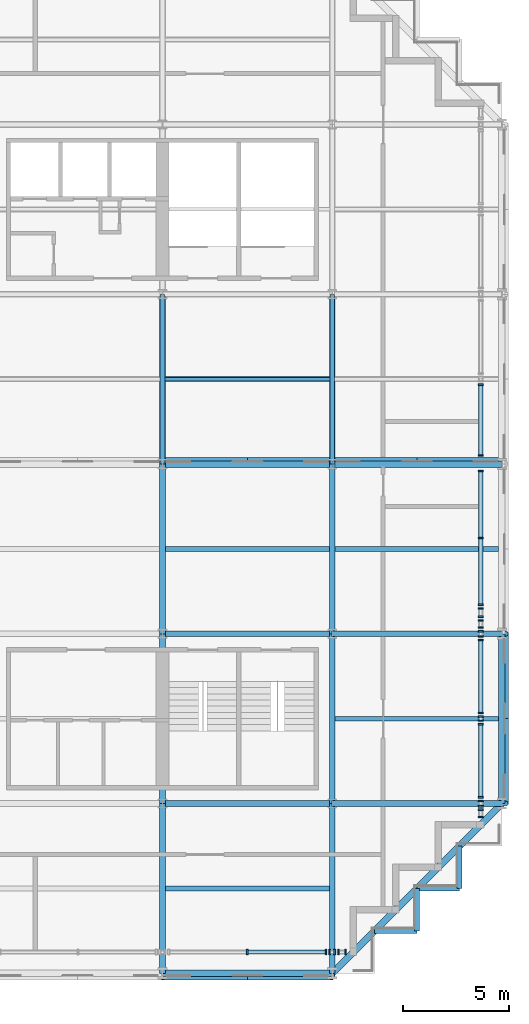
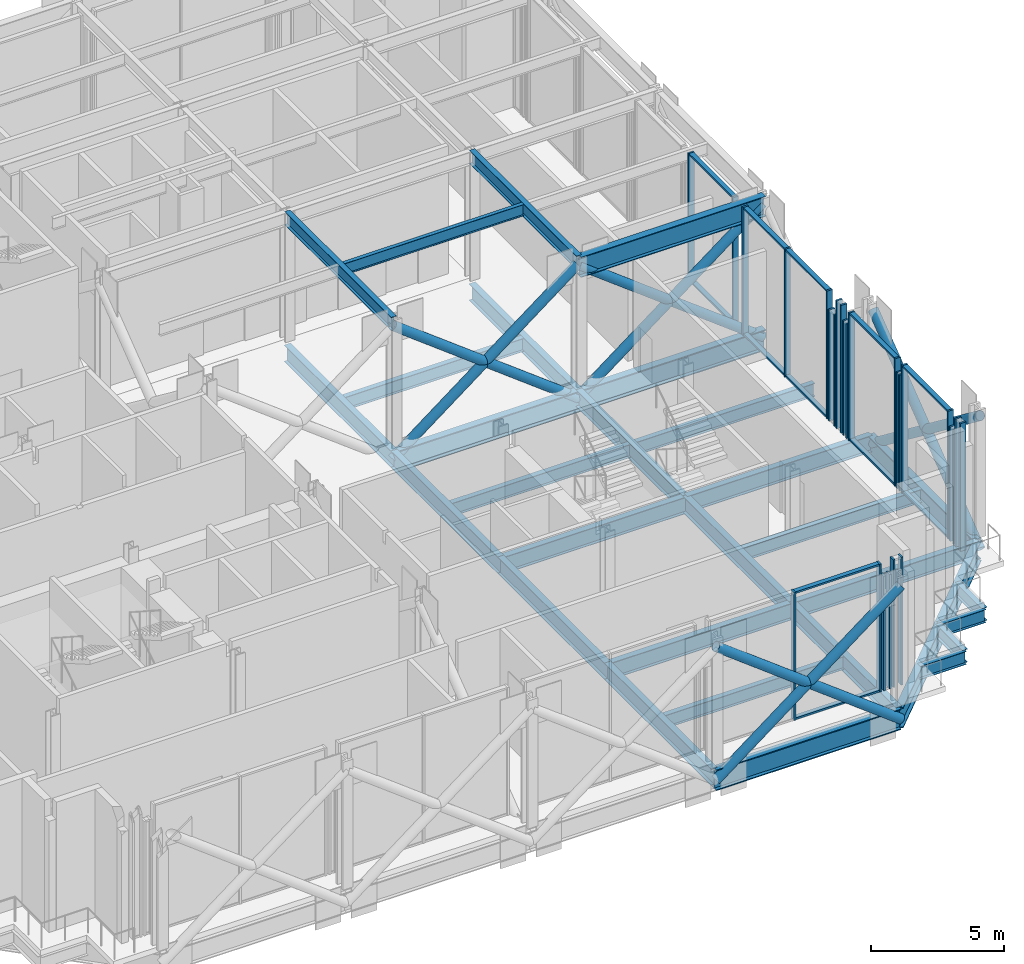
# One storey, part 4 of 25: 47 members, 30 beams, 13 elements without a shape of their own.
"""IFC4 building model written with IfcOpenShell, lengths in metres."""

from ifc_helpers import new_model, si_unit, direction, frame, origin, origin_2d, place, context, subcontext, project, spatial, rectangle, hollow_circle, i_section, extrude, material, material_profile, profile_set, type_object, element, aggregate, save


model = new_model("IFC4")

# Units and contexts
model_context = context("Model", 3, precision=1e-05, world=origin(), true_north=direction((0.0, 1.0)))
body_context = subcontext(model_context, "Body", "Model", "MODEL_VIEW")
ifc_project = project(units=[si_unit("LENGTHUNIT", "METRE"), si_unit("AREAUNIT", "SQUARE_METRE"), si_unit("VOLUMEUNIT", "CUBIC_METRE"), si_unit("PLANEANGLEUNIT", "RADIAN"), si_unit("MASSUNIT", "GRAM", prefix="KILO")], contexts=[model_context])

# Site, building, storey
site_placement = place(None, origin())
site = spatial("IfcSite", under=ifc_project, at=site_placement, CompositionType="ELEMENT")
building_placement = place(site_placement, origin())
building = spatial("IfcBuilding", under=site, at=building_placement, Name="Immortelle Media Tower", CompositionType="ELEMENT")
storey_placement = place(building_placement, frame((0.0, 0.0, 114.0)))
storey = spatial("IfcBuildingStorey", under=building, at=storey_placement, Name="L22", CompositionType="ELEMENT", Elevation=114.0)

# Members
ifc_material_1 = material(Name="Steel ASTM A500 Gr C", Category="steel")
ifc_material_profile_1 = material_profile(ifc_material_1, hollow_circle(Radius=0.202880859375, WallThickness=0.011962890625, at=origin_2d()), Name="HSS16.000x0.500 truss diagonal")
ifc_profile_set_1 = profile_set([ifc_material_profile_1], Name="Steel ASTM A500 Gr C")
member_type_1 = type_object("IfcMemberType", Name="HSS16.000x0.500 truss diagonal", PredefinedType="BRACE", material=ifc_profile_set_1)
for number, where, z_axis, x_axis, name in (
    (1, (32.0, -0.113037109375, -0.72509765625), (0.794648909693, 0.0, 0.607069279674), (0.0, 1.0, 0.0), "Belt truss A/5-6 A"),
    (2, (32.0, -0.113037109375, 5.386474609375), (0.794648909693, 0.0, -0.607069279674), (0.0, 1.0, 0.0), "Belt truss A/5-6 B"),
    (3, (32.0, 24.113037109375, -0.72509765625), (0.794648909693, 0.0, 0.607069279674), (0.0, 1.0, 0.0), "Belt truss D/5-6 A"),
    (4, (32.0, 24.113037109375, 5.386474609375), (0.794648909693, 0.0, -0.607069279674), (0.0, 1.0, 0.0), "Belt truss D/5-6 B"),
    (5, (40.0, 24.113037109375, -0.72509765625), (0.794648909693, 0.0, 0.607069279674), (0.0, 1.0, 0.0), "Belt truss D/6-7 A"),
    (6, (40.0, 24.113037109375, 5.386474609375), (0.794648909693, 0.0, -0.607069279674), (0.0, 1.0, 0.0), "Belt truss D/6-7 B"),
    (7, (48.113037109375, 8.0, -0.72509765625), (0.0, 0.794648909693, 0.607069279674), (-1.0, 0.0, 0.0), "Belt truss 7/B-C A"),
    (8, (48.113037109375, 8.0, 5.386474609375), (0.0, 0.794648909693, -0.607069279674), (-1.0, 0.0, 0.0), "Belt truss 7/B-C B"),
):
    element("IfcMember", number, at=place(storey_placement, frame(where, z_axis=z_axis, x_axis=x_axis)), inside=storey, type_object=member_type_1, Name=name, PredefinedType="BRACE", context=body_context, shape_type="SweptSolid", body=[
        extrude(hollow_circle(Radius=0.202880859375, WallThickness=0.011962890625, at=origin_2d()), origin(), (0.0, 0.0, 1.0), 10.0673828125),
    ])

# Curtain wall, members
ifc_material_2 = material(Name="Aluminium curtain wall system", Category="aluminium")
curtain_wall_type = type_object("IfcCurtainWallType", Name="Plant louvre wall curtain wall", PredefinedType="NOTDEFINED", material=ifc_material_2)
curtain_wall_1_placement = place(storey_placement, origin())
curtain_wall_1 = element("IfcCurtainWall", 9, at=curtain_wall_1_placement, inside=storey, type_object=curtain_wall_type, Name="Plant louvre wall L22 S 7-9", PredefinedType="NOTDEFINED")
ifc_material_3 = material(Name="Aluminium 6063-T6", Category="aluminium")
ifc_material_profile_2 = material_profile(ifc_material_3, rectangle(XDim=0.25, YDim=0.080078125, at=origin_2d()), Name="AL 80x250")
ifc_profile_set_2 = profile_set([ifc_material_profile_2], Name="Aluminium 6063-T6")
member_type_2 = type_object("IfcMemberType", Name="Plant louvre wall mullion 80 x 250", PredefinedType="MULLION", material=ifc_profile_set_2)
member_1_placement = place(storey_placement, frame((36.0, 1.0, 0.0), z_axis=(0.0, 0.0, 1.0), x_axis=(0.0, 1.0, 0.0)))
member_1 = element("IfcMember", 10, at=member_1_placement, type_object=member_type_2, Name="CW6 mullion 2", PredefinedType="MULLION", context=body_context, shape_type="SweptSolid", body=[
    extrude(rectangle(XDim=0.25, YDim=0.080078125, at=origin_2d()), origin(), (0.0, 0.0, 1.0), 5.849609375),
])
member_2_placement = place(storey_placement, frame((39.70556640625, 1.0, 0.0), z_axis=(0.0, 0.0, 1.0), x_axis=(0.0, 1.0, 0.0)))
member_2 = element("IfcMember", 11, at=member_2_placement, type_object=member_type_2, Name="CW6 mullion 3", PredefinedType="MULLION", context=body_context, shape_type="SweptSolid", body=[
    extrude(rectangle(XDim=0.25, YDim=0.080078125, at=origin_2d()), origin(), (0.0, 0.0, 1.0), 5.849609375),
])

curtain_wall_2_placement = place(storey_placement, origin())
curtain_wall_2 = element("IfcCurtainWall", 12, at=curtain_wall_2_placement, inside=storey, type_object=curtain_wall_type, Name="Plant louvre wall L22 S 7-10", PredefinedType="NOTDEFINED")
member_3_placement = place(storey_placement, frame((39.87548828125, 1.0, 0.0), z_axis=(0.0, 0.0, 1.0), x_axis=(0.0, 1.0, 0.0)))
member_3 = element("IfcMember", 13, at=member_3_placement, type_object=member_type_2, Name="CW6 mullion 1", PredefinedType="MULLION", context=body_context, shape_type="SweptSolid", body=[
    extrude(rectangle(XDim=0.25, YDim=0.080078125, at=origin_2d()), origin(), (0.0, 0.0, 1.0), 5.237548828125),
])
member_4_placement = place(storey_placement, frame((40.12451171875, 1.0, 0.0), z_axis=(0.0, 0.0, 1.0), x_axis=(0.0, 1.0, 0.0)))
member_4 = element("IfcMember", 14, at=member_4_placement, type_object=member_type_2, Name="CW6 mullion 2", PredefinedType="MULLION", context=body_context, shape_type="SweptSolid", body=[
    extrude(rectangle(XDim=0.25, YDim=0.080078125, at=origin_2d()), origin(), (0.0, 0.0, 1.0), 5.237548828125),
])
aggregate(curtain_wall_2, [member_3, member_4])

curtain_wall_3_placement = place(storey_placement, origin())
curtain_wall_3 = element("IfcCurtainWall", 15, at=curtain_wall_3_placement, inside=storey, type_object=curtain_wall_type, Name="Plant louvre wall L22 S 7-11", PredefinedType="NOTDEFINED")
member_5_placement = place(storey_placement, frame((40.29443359375, 1.0, 0.0), z_axis=(0.0, 0.0, 1.0), x_axis=(0.0, 1.0, 0.0)))
member_5 = element("IfcMember", 16, at=member_5_placement, type_object=member_type_2, Name="CW6 mullion 1", PredefinedType="MULLION", context=body_context, shape_type="SweptSolid", body=[
    extrude(rectangle(XDim=0.25, YDim=0.080078125, at=origin_2d()), origin(), (0.0, 0.0, 1.0), 5.849609375),
])
member_6_placement = place(storey_placement, frame((40.631103515625, 1.0, 0.0), z_axis=(0.0, 0.0, 1.0), x_axis=(0.0, 1.0, 0.0)))
member_6 = element("IfcMember", 17, at=member_6_placement, type_object=member_type_2, Name="CW6 mullion 2", PredefinedType="MULLION", context=body_context, shape_type="SweptSolid", body=[
    extrude(rectangle(XDim=0.25, YDim=0.080078125, at=origin_2d()), origin(), (0.0, 0.0, 1.0), 5.849609375),
])
aggregate(curtain_wall_3, [member_5, member_6])

curtain_wall_4_placement = place(storey_placement, origin())
curtain_wall_4 = element("IfcCurtainWall", 18, at=curtain_wall_4_placement, inside=storey, type_object=curtain_wall_type, Name="Plant louvre wall L22 E 14-2", PredefinedType="NOTDEFINED")
member_7_placement = place(storey_placement, frame((47.0, 7.368896484375, 0.0), z_axis=(0.0, 0.0, 1.0), x_axis=(-1.0, 0.0, 0.0)))
member_7 = element("IfcMember", 19, at=member_7_placement, type_object=member_type_2, Name="CW6 mullion 1", PredefinedType="MULLION", context=body_context, shape_type="SweptSolid", body=[
    extrude(rectangle(XDim=0.25, YDim=0.080078125, at=origin_2d()), origin(), (0.0, 0.0, 1.0), 5.849609375),
])
member_8_placement = place(storey_placement, frame((47.0, 7.70556640625, 0.0), z_axis=(0.0, 0.0, 1.0), x_axis=(-1.0, 0.0, 0.0)))
member_8 = element("IfcMember", 20, at=member_8_placement, type_object=member_type_2, Name="CW6 mullion 2", PredefinedType="MULLION", context=body_context, shape_type="SweptSolid", body=[
    extrude(rectangle(XDim=0.25, YDim=0.080078125, at=origin_2d()), origin(), (0.0, 0.0, 1.0), 5.849609375),
])
aggregate(curtain_wall_4, [member_7, member_8])

curtain_wall_5_placement = place(storey_placement, origin())
curtain_wall_5 = element("IfcCurtainWall", 21, at=curtain_wall_5_placement, inside=storey, type_object=curtain_wall_type, Name="Plant louvre wall L22 E 14-3", PredefinedType="NOTDEFINED")
member_9_placement = place(storey_placement, frame((47.0, 7.87548828125, 0.0), z_axis=(0.0, 0.0, 1.0), x_axis=(-1.0, 0.0, 0.0)))
member_9 = element("IfcMember", 22, at=member_9_placement, type_object=member_type_2, Name="CW6 mullion 1", PredefinedType="MULLION", context=body_context, shape_type="SweptSolid", body=[
    extrude(rectangle(XDim=0.25, YDim=0.080078125, at=origin_2d()), origin(), (0.0, 0.0, 1.0), 5.237548828125),
])
member_10_placement = place(storey_placement, frame((47.0, 8.12451171875, 0.0), z_axis=(0.0, 0.0, 1.0), x_axis=(-1.0, 0.0, 0.0)))
member_10 = element("IfcMember", 23, at=member_10_placement, type_object=member_type_2, Name="CW6 mullion 2", PredefinedType="MULLION", context=body_context, shape_type="SweptSolid", body=[
    extrude(rectangle(XDim=0.25, YDim=0.080078125, at=origin_2d()), origin(), (0.0, 0.0, 1.0), 5.237548828125),
])
aggregate(curtain_wall_5, [member_9, member_10])

curtain_wall_6_placement = place(storey_placement, origin())
curtain_wall_6 = element("IfcCurtainWall", 24, at=curtain_wall_6_placement, inside=storey, type_object=curtain_wall_type, Name="Plant louvre wall L22 E 14-4", PredefinedType="NOTDEFINED")
member_11_placement = place(storey_placement, frame((47.0, 8.29443359375, 0.0), z_axis=(0.0, 0.0, 1.0), x_axis=(-1.0, 0.0, 0.0)))
member_11 = element("IfcMember", 25, at=member_11_placement, type_object=member_type_2, Name="CW6 mullion 1", PredefinedType="MULLION", context=body_context, shape_type="SweptSolid", body=[
    extrude(rectangle(XDim=0.25, YDim=0.080078125, at=origin_2d()), origin(), (0.0, 0.0, 1.0), 5.849609375),
])
member_12_placement = place(storey_placement, frame((47.0, 11.737548828125, 0.0), z_axis=(0.0, 0.0, 1.0), x_axis=(-1.0, 0.0, 0.0)))
member_12 = element("IfcMember", 26, at=member_12_placement, type_object=member_type_2, Name="CW6 mullion 2", PredefinedType="MULLION", context=body_context, shape_type="SweptSolid", body=[
    extrude(rectangle(XDim=0.25, YDim=0.080078125, at=origin_2d()), origin(), (0.0, 0.0, 1.0), 5.849609375),
])

curtain_wall_7_placement = place(storey_placement, origin())
curtain_wall_7 = element("IfcCurtainWall", 27, at=curtain_wall_7_placement, inside=storey, type_object=curtain_wall_type, Name="Plant louvre wall L22 E 14-5", PredefinedType="NOTDEFINED")
member_13_placement = place(storey_placement, frame((47.0, 11.907470703125, 0.0), z_axis=(0.0, 0.0, 1.0), x_axis=(-1.0, 0.0, 0.0)))
member_13 = element("IfcMember", 28, at=member_13_placement, type_object=member_type_2, Name="CW6 mullion 1", PredefinedType="MULLION", context=body_context, shape_type="SweptSolid", body=[
    extrude(rectangle(XDim=0.25, YDim=0.080078125, at=origin_2d()), origin(), (0.0, 0.0, 1.0), 5.323486328125),
])
member_14_placement = place(storey_placement, frame((47.0, 12.092529296875, 0.0), z_axis=(0.0, 0.0, 1.0), x_axis=(-1.0, 0.0, 0.0)))
member_14 = element("IfcMember", 29, at=member_14_placement, type_object=member_type_2, Name="CW6 mullion 2", PredefinedType="MULLION", context=body_context, shape_type="SweptSolid", body=[
    extrude(rectangle(XDim=0.25, YDim=0.080078125, at=origin_2d()), origin(), (0.0, 0.0, 1.0), 5.323486328125),
])
aggregate(curtain_wall_7, [member_13, member_14])

curtain_wall_8_placement = place(storey_placement, origin())
curtain_wall_8 = element("IfcCurtainWall", 30, at=curtain_wall_8_placement, inside=storey, type_object=curtain_wall_type, Name="Plant louvre wall L22 E 14-6", PredefinedType="NOTDEFINED")
member_15_placement = place(storey_placement, frame((47.0, 12.262451171875, 0.0), z_axis=(0.0, 0.0, 1.0), x_axis=(-1.0, 0.0, 0.0)))
member_15 = element("IfcMember", 31, at=member_15_placement, type_object=member_type_2, Name="CW6 mullion 1", PredefinedType="MULLION", context=body_context, shape_type="SweptSolid", body=[
    extrude(rectangle(XDim=0.25, YDim=0.080078125, at=origin_2d()), origin(), (0.0, 0.0, 1.0), 5.849609375),
])
member_16_placement = place(storey_placement, frame((47.0, 15.70556640625, 0.0), z_axis=(0.0, 0.0, 1.0), x_axis=(-1.0, 0.0, 0.0)))
member_16 = element("IfcMember", 32, at=member_16_placement, type_object=member_type_2, Name="CW6 mullion 2", PredefinedType="MULLION", context=body_context, shape_type="SweptSolid", body=[
    extrude(rectangle(XDim=0.25, YDim=0.080078125, at=origin_2d()), origin(), (0.0, 0.0, 1.0), 5.849609375),
])

curtain_wall_9_placement = place(storey_placement, origin())
curtain_wall_9 = element("IfcCurtainWall", 33, at=curtain_wall_9_placement, inside=storey, type_object=curtain_wall_type, Name="Plant louvre wall L22 E 14-7", PredefinedType="NOTDEFINED")
member_17_placement = place(storey_placement, frame((47.0, 15.87548828125, 0.0), z_axis=(0.0, 0.0, 1.0), x_axis=(-1.0, 0.0, 0.0)))
member_17 = element("IfcMember", 34, at=member_17_placement, type_object=member_type_2, Name="CW6 mullion 1", PredefinedType="MULLION", context=body_context, shape_type="SweptSolid", body=[
    extrude(rectangle(XDim=0.25, YDim=0.080078125, at=origin_2d()), origin(), (0.0, 0.0, 1.0), 5.237548828125),
])
member_18_placement = place(storey_placement, frame((47.0, 16.12451171875, 0.0), z_axis=(0.0, 0.0, 1.0), x_axis=(-1.0, 0.0, 0.0)))
member_18 = element("IfcMember", 35, at=member_18_placement, type_object=member_type_2, Name="CW6 mullion 2", PredefinedType="MULLION", context=body_context, shape_type="SweptSolid", body=[
    extrude(rectangle(XDim=0.25, YDim=0.080078125, at=origin_2d()), origin(), (0.0, 0.0, 1.0), 5.237548828125),
])
aggregate(curtain_wall_9, [member_17, member_18])

curtain_wall_10_placement = place(storey_placement, origin())
curtain_wall_10 = element("IfcCurtainWall", 36, at=curtain_wall_10_placement, inside=storey, type_object=curtain_wall_type, Name="Plant louvre wall L22 E 14-8", PredefinedType="NOTDEFINED")
member_19_placement = place(storey_placement, frame((47.0, 16.29443359375, 0.0), z_axis=(0.0, 0.0, 1.0), x_axis=(-1.0, 0.0, 0.0)))
member_19 = element("IfcMember", 37, at=member_19_placement, type_object=member_type_2, Name="CW6 mullion 1", PredefinedType="MULLION", context=body_context, shape_type="SweptSolid", body=[
    extrude(rectangle(XDim=0.25, YDim=0.080078125, at=origin_2d()), origin(), (0.0, 0.0, 1.0), 5.849609375),
])
member_20_placement = place(storey_placement, frame((47.0, 16.631103515625, 0.0), z_axis=(0.0, 0.0, 1.0), x_axis=(-1.0, 0.0, 0.0)))
member_20 = element("IfcMember", 38, at=member_20_placement, type_object=member_type_2, Name="CW6 mullion 2", PredefinedType="MULLION", context=body_context, shape_type="SweptSolid", body=[
    extrude(rectangle(XDim=0.25, YDim=0.080078125, at=origin_2d()), origin(), (0.0, 0.0, 1.0), 5.849609375),
])
aggregate(curtain_wall_10, [member_19, member_20])

curtain_wall_11_placement = place(storey_placement, origin())
curtain_wall_11 = element("IfcCurtainWall", 39, at=curtain_wall_11_placement, inside=storey, type_object=curtain_wall_type, Name="Plant louvre wall L22 E 14-9", PredefinedType="NOTDEFINED")
member_21_placement = place(storey_placement, frame((47.0, 16.80126953125, 0.0), z_axis=(0.0, 0.0, 1.0), x_axis=(-1.0, 0.0, 0.0)))
member_21 = element("IfcMember", 40, at=member_21_placement, type_object=member_type_2, Name="CW6 mullion 1", PredefinedType="MULLION", context=body_context, shape_type="SweptSolid", body=[
    extrude(rectangle(XDim=0.25, YDim=0.080078125, at=origin_2d()), origin(), (0.0, 0.0, 1.0), 5.08740234375),
])
member_22_placement = place(storey_placement, frame((47.0, 17.19873046875, 0.0), z_axis=(0.0, 0.0, 1.0), x_axis=(-1.0, 0.0, 0.0)))
member_22 = element("IfcMember", 41, at=member_22_placement, type_object=member_type_2, Name="CW6 mullion 2", PredefinedType="MULLION", context=body_context, shape_type="SweptSolid", body=[
    extrude(rectangle(XDim=0.25, YDim=0.080078125, at=origin_2d()), origin(), (0.0, 0.0, 1.0), 5.08740234375),
])
aggregate(curtain_wall_11, [member_21, member_22])

curtain_wall_12_placement = place(storey_placement, origin())
curtain_wall_12 = element("IfcCurtainWall", 42, at=curtain_wall_12_placement, inside=storey, type_object=curtain_wall_type, Name="Plant louvre wall L22 E 14-10", PredefinedType="NOTDEFINED")
member_23_placement = place(storey_placement, frame((47.0, 17.368896484375, 0.0), z_axis=(0.0, 0.0, 1.0), x_axis=(-1.0, 0.0, 0.0)))
member_23 = element("IfcMember", 43, at=member_23_placement, type_object=member_type_2, Name="CW6 mullion 1", PredefinedType="MULLION", context=body_context, shape_type="SweptSolid", body=[
    extrude(rectangle(XDim=0.25, YDim=0.080078125, at=origin_2d()), origin(), (0.0, 0.0, 1.0), 5.849609375),
])
member_24_placement = place(storey_placement, frame((47.0, 20.517578125, 0.0), z_axis=(0.0, 0.0, 1.0), x_axis=(-1.0, 0.0, 0.0)))
member_24 = element("IfcMember", 44, at=member_24_placement, type_object=member_type_2, Name="CW6 mullion 2", PredefinedType="MULLION", context=body_context, shape_type="SweptSolid", body=[
    extrude(rectangle(XDim=0.25, YDim=0.080078125, at=origin_2d()), origin(), (0.0, 0.0, 1.0), 5.849609375),
])
member_25_placement = place(storey_placement, frame((47.0, 23.66650390625, 0.0), z_axis=(0.0, 0.0, 1.0), x_axis=(-1.0, 0.0, 0.0)))
member_25 = element("IfcMember", 45, at=member_25_placement, type_object=member_type_2, Name="CW6 mullion 3", PredefinedType="MULLION", context=body_context, shape_type="SweptSolid", body=[
    extrude(rectangle(XDim=0.25, YDim=0.080078125, at=origin_2d()), origin(), (0.0, 0.0, 1.0), 5.849609375),
])

curtain_wall_13_placement = place(storey_placement, origin())
curtain_wall_13 = element("IfcCurtainWall", 46, at=curtain_wall_13_placement, inside=storey, type_object=curtain_wall_type, Name="Plant louvre wall L22 E 14-11", PredefinedType="NOTDEFINED")
member_26_placement = place(storey_placement, frame((47.0, 24.406005859375, 0.0), z_axis=(0.0, 0.0, 1.0), x_axis=(-1.0, 0.0, 0.0)))
member_26 = element("IfcMember", 47, at=member_26_placement, type_object=member_type_2, Name="CW6 mullion 1", PredefinedType="MULLION", context=body_context, shape_type="SweptSolid", body=[
    extrude(rectangle(XDim=0.25, YDim=0.080078125, at=origin_2d()), origin(), (0.0, 0.0, 1.0), 5.849609375),
])
member_27_placement = place(storey_placement, frame((47.0, 27.737548828125, 0.0), z_axis=(0.0, 0.0, 1.0), x_axis=(-1.0, 0.0, 0.0)))
member_27 = element("IfcMember", 48, at=member_27_placement, type_object=member_type_2, Name="CW6 mullion 2", PredefinedType="MULLION", context=body_context, shape_type="SweptSolid", body=[
    extrude(rectangle(XDim=0.25, YDim=0.080078125, at=origin_2d()), origin(), (0.0, 0.0, 1.0), 5.849609375),
])

# Member
ifc_material_profile_3 = material_profile(ifc_material_3, rectangle(XDim=0.199951171875, YDim=0.080078125, at=origin_2d()), Name="AL 80x200")
ifc_profile_set_3 = profile_set([ifc_material_profile_3], Name="Aluminium 6063-T6")
member_type_3 = type_object("IfcMemberType", Name="Plant louvre wall transom 80 x 200", PredefinedType="USERDEFINED", material=ifc_profile_set_3)
member_28_placement = place(storey_placement, frame((36.0400390625, 1.0, 0.0400390625), z_axis=(1.0, 0.0, 0.0), x_axis=(0.0, 1.0, 0.0)))
member_28 = element("IfcMember", 49, at=member_28_placement, type_object=member_type_3, Name="CW6 transom 2.1", ObjectType="TRANSOM", PredefinedType="USERDEFINED", context=body_context, shape_type="SweptSolid", body=[
    extrude(rectangle(XDim=0.199951171875, YDim=0.080078125, at=origin_2d()), origin(), (0.0, 0.0, 1.0), 3.62548828125),
])

member_29_placement = place(storey_placement, frame((36.0400390625, 1.0, 5.8095703125), z_axis=(1.0, 0.0, 0.0), x_axis=(0.0, 1.0, 0.0)))
member_29 = element("IfcMember", 50, at=member_29_placement, type_object=member_type_3, Name="CW6 transom 2.2", ObjectType="TRANSOM", PredefinedType="USERDEFINED", context=body_context, shape_type="SweptSolid", body=[
    extrude(rectangle(XDim=0.199951171875, YDim=0.080078125, at=origin_2d()), origin(), (0.0, 0.0, 1.0), 3.62548828125),
])

aggregate(curtain_wall_1, [member_1, member_2, member_28, member_29])

member_30_placement = place(storey_placement, frame((47.0, 8.33447265625, 0.0400390625), z_axis=(0.0, 1.0, 0.0), x_axis=(-1.0, 0.0, 0.0)))
member_30 = element("IfcMember", 51, at=member_30_placement, type_object=member_type_3, Name="CW6 transom 1.1", ObjectType="TRANSOM", PredefinedType="USERDEFINED", context=body_context, shape_type="SweptSolid", body=[
    extrude(rectangle(XDim=0.199951171875, YDim=0.080078125, at=origin_2d()), origin(), (0.0, 0.0, 1.0), 3.363037109375),
])

member_31_placement = place(storey_placement, frame((47.0, 8.33447265625, 5.8095703125), z_axis=(0.0, 1.0, 0.0), x_axis=(-1.0, 0.0, 0.0)))
member_31 = element("IfcMember", 52, at=member_31_placement, type_object=member_type_3, Name="CW6 transom 1.2", ObjectType="TRANSOM", PredefinedType="USERDEFINED", context=body_context, shape_type="SweptSolid", body=[
    extrude(rectangle(XDim=0.199951171875, YDim=0.080078125, at=origin_2d()), origin(), (0.0, 0.0, 1.0), 3.363037109375),
])

aggregate(curtain_wall_6, [member_11, member_12, member_30, member_31])

member_32_placement = place(storey_placement, frame((47.0, 12.302490234375, 0.0400390625), z_axis=(0.0, 1.0, 0.0), x_axis=(-1.0, 0.0, 0.0)))
member_32 = element("IfcMember", 53, at=member_32_placement, type_object=member_type_3, Name="CW6 transom 1.1", ObjectType="TRANSOM", PredefinedType="USERDEFINED", context=body_context, shape_type="SweptSolid", body=[
    extrude(rectangle(XDim=0.199951171875, YDim=0.080078125, at=origin_2d()), origin(), (0.0, 0.0, 1.0), 3.363037109375),
])

member_33_placement = place(storey_placement, frame((47.0, 12.302490234375, 5.8095703125), z_axis=(0.0, 1.0, 0.0), x_axis=(-1.0, 0.0, 0.0)))
member_33 = element("IfcMember", 54, at=member_33_placement, type_object=member_type_3, Name="CW6 transom 1.2", ObjectType="TRANSOM", PredefinedType="USERDEFINED", context=body_context, shape_type="SweptSolid", body=[
    extrude(rectangle(XDim=0.199951171875, YDim=0.080078125, at=origin_2d()), origin(), (0.0, 0.0, 1.0), 3.363037109375),
])

aggregate(curtain_wall_8, [member_15, member_16, member_32, member_33])

member_34_placement = place(storey_placement, frame((47.0, 17.40869140625, 0.0400390625), z_axis=(0.0, 1.0, 0.0), x_axis=(-1.0, 0.0, 0.0)))
member_34 = element("IfcMember", 55, at=member_34_placement, type_object=member_type_3, Name="CW6 transom 1.1", ObjectType="TRANSOM", PredefinedType="USERDEFINED", context=body_context, shape_type="SweptSolid", body=[
    extrude(rectangle(XDim=0.199951171875, YDim=0.080078125, at=origin_2d()), origin(), (0.0, 0.0, 1.0), 3.06884765625),
])

member_35_placement = place(storey_placement, frame((47.0, 17.40869140625, 5.8095703125), z_axis=(0.0, 1.0, 0.0), x_axis=(-1.0, 0.0, 0.0)))
member_35 = element("IfcMember", 56, at=member_35_placement, type_object=member_type_3, Name="CW6 transom 1.2", ObjectType="TRANSOM", PredefinedType="USERDEFINED", context=body_context, shape_type="SweptSolid", body=[
    extrude(rectangle(XDim=0.199951171875, YDim=0.080078125, at=origin_2d()), origin(), (0.0, 0.0, 1.0), 3.06884765625),
])

member_36_placement = place(storey_placement, frame((47.0, 20.5576171875, 0.0400390625), z_axis=(0.0, 1.0, 0.0), x_axis=(-1.0, 0.0, 0.0)))
member_36 = element("IfcMember", 57, at=member_36_placement, type_object=member_type_3, Name="CW6 transom 2.1", ObjectType="TRANSOM", PredefinedType="USERDEFINED", context=body_context, shape_type="SweptSolid", body=[
    extrude(rectangle(XDim=0.199951171875, YDim=0.080078125, at=origin_2d()), origin(), (0.0, 0.0, 1.0), 3.06884765625),
])

member_37_placement = place(storey_placement, frame((47.0, 20.5576171875, 5.8095703125), z_axis=(0.0, 1.0, 0.0), x_axis=(-1.0, 0.0, 0.0)))
member_37 = element("IfcMember", 58, at=member_37_placement, type_object=member_type_3, Name="CW6 transom 2.2", ObjectType="TRANSOM", PredefinedType="USERDEFINED", context=body_context, shape_type="SweptSolid", body=[
    extrude(rectangle(XDim=0.199951171875, YDim=0.080078125, at=origin_2d()), origin(), (0.0, 0.0, 1.0), 3.06884765625),
])

aggregate(curtain_wall_12, [member_23, member_24, member_25, member_34, member_35, member_36, member_37])

member_38_placement = place(storey_placement, frame((47.0, 24.446044921875, 0.0400390625), z_axis=(0.0, 1.0, 0.0), x_axis=(-1.0, 0.0, 0.0)))
member_38 = element("IfcMember", 59, at=member_38_placement, type_object=member_type_3, Name="CW6 transom 1.1", ObjectType="TRANSOM", PredefinedType="USERDEFINED", context=body_context, shape_type="SweptSolid", body=[
    extrude(rectangle(XDim=0.199951171875, YDim=0.080078125, at=origin_2d()), origin(), (0.0, 0.0, 1.0), 3.25146484375),
])

member_39_placement = place(storey_placement, frame((47.0, 24.446044921875, 5.8095703125), z_axis=(0.0, 1.0, 0.0), x_axis=(-1.0, 0.0, 0.0)))
member_39 = element("IfcMember", 60, at=member_39_placement, type_object=member_type_3, Name="CW6 transom 1.2", ObjectType="TRANSOM", PredefinedType="USERDEFINED", context=body_context, shape_type="SweptSolid", body=[
    extrude(rectangle(XDim=0.199951171875, YDim=0.080078125, at=origin_2d()), origin(), (0.0, 0.0, 1.0), 3.25146484375),
])

aggregate(curtain_wall_13, [member_26, member_27, member_38, member_39])

# Beams
ifc_material_4 = material(Name="Steel ASTM A992 Gr 50", Category="steel")
ifc_material_profile_4 = material_profile(ifc_material_4, i_section(OverallWidth=0.1650390625, OverallDepth=0.52587890625, WebThickness=0.009033203125, FlangeThickness=0.010986328125, at=origin_2d()), Name="W21x44")
ifc_profile_set_4 = profile_set([ifc_material_profile_4], Name="Steel ASTM A992 Gr 50")
beam_type_1 = type_object("IfcBeamType", Name="W21x44 secondary beam", PredefinedType="JOIST", material=ifc_profile_set_4)
beam_1_placement = place(storey_placement, frame((32.114501953125, 28.0, 5.5869140625), z_axis=(1.0, 0.0, 0.0), x_axis=(0.0, 1.0, 0.0)))
element("IfcBeam", 61, at=beam_1_placement, inside=storey, type_object=beam_type_1, Name="Beam D-E/5-6", PredefinedType="JOIST", context=body_context, shape_type="SweptSolid", body=[
    extrude(i_section(OverallWidth=0.1650390625, OverallDepth=0.52587890625, WebThickness=0.009033203125, FlangeThickness=0.010986328125, at=origin_2d()), origin(), (0.0, 0.0, 1.0), 7.77099609375),
])
ifc_material_profile_5 = material_profile(ifc_material_4, i_section(OverallWidth=0.22802734375, OverallDepth=0.60205078125, WebThickness=0.010986328125, FlangeThickness=0.014892578125, at=origin_2d()), Name="W24x68")
ifc_profile_set_5 = profile_set([ifc_material_profile_5], Name="Steel ASTM A992 Gr 50")
beam_type_2 = type_object("IfcBeamType", Name="W24x68 secondary beam", PredefinedType="JOIST", material=ifc_profile_set_5)
beam_2_placement = place(storey_placement, frame((32.133544921875, 4.0, -0.551025390625), z_axis=(1.0, 0.0, 0.0), x_axis=(0.0, 1.0, 0.0)))
element("IfcBeam", 62, at=beam_2_placement, inside=storey, type_object=beam_type_2, Name="Beam A-B/5-6", PredefinedType="JOIST", context=body_context, shape_type="SweptSolid", body=[
    extrude(i_section(OverallWidth=0.22802734375, OverallDepth=0.60205078125, WebThickness=0.010986328125, FlangeThickness=0.014892578125, at=origin_2d()), origin(), (0.0, 0.0, 1.0), 7.73291015625),
])
beam_3_placement = place(storey_placement, frame((40.133544921875, 12.0, -0.551025390625), z_axis=(1.0, 0.0, 0.0), x_axis=(0.0, 1.0, 0.0)))
element("IfcBeam", 63, at=beam_3_placement, inside=storey, type_object=beam_type_2, Name="Beam B-C/6-7", PredefinedType="JOIST", context=body_context, shape_type="SweptSolid", body=[
    extrude(i_section(OverallWidth=0.22802734375, OverallDepth=0.60205078125, WebThickness=0.010986328125, FlangeThickness=0.014892578125, at=origin_2d()), origin(), (0.0, 0.0, 1.0), 7.71142578125),
])
beam_4_placement = place(storey_placement, frame((32.133544921875, 20.0, -0.551025390625), z_axis=(1.0, 0.0, 0.0), x_axis=(0.0, 1.0, 0.0)))
element("IfcBeam", 64, at=beam_4_placement, inside=storey, type_object=beam_type_2, Name="Beam C-D/5-6", PredefinedType="JOIST", context=body_context, shape_type="SweptSolid", body=[
    extrude(i_section(OverallWidth=0.22802734375, OverallDepth=0.60205078125, WebThickness=0.010986328125, FlangeThickness=0.014892578125, at=origin_2d()), origin(), (0.0, 0.0, 1.0), 7.73291015625),
])
beam_5_placement = place(storey_placement, frame((40.133544921875, 20.0, -0.551025390625), z_axis=(1.0, 0.0, 0.0), x_axis=(0.0, 1.0, 0.0)))
element("IfcBeam", 65, at=beam_5_placement, inside=storey, type_object=beam_type_2, Name="Beam C-D/6-7", PredefinedType="JOIST", context=body_context, shape_type="SweptSolid", body=[
    extrude(i_section(OverallWidth=0.22802734375, OverallDepth=0.60205078125, WebThickness=0.010986328125, FlangeThickness=0.014892578125, at=origin_2d()), origin(), (0.0, 0.0, 1.0), 7.71142578125),
])
beam_6_placement = place(storey_placement, frame((32.133544921875, 28.0, -0.551025390625), z_axis=(1.0, 0.0, 0.0), x_axis=(0.0, 1.0, 0.0)))
element("IfcBeam", 66, at=beam_6_placement, inside=storey, type_object=beam_type_2, Name="Beam D-E/5-6", PredefinedType="JOIST", context=body_context, shape_type="SweptSolid", body=[
    extrude(i_section(OverallWidth=0.22802734375, OverallDepth=0.60205078125, WebThickness=0.010986328125, FlangeThickness=0.014892578125, at=origin_2d()), origin(), (0.0, 0.0, 1.0), 7.73291015625),
])
ifc_material_profile_6 = material_profile(ifc_material_4, i_section(OverallWidth=0.22802734375, OverallDepth=0.60205078125, WebThickness=0.010986328125, FlangeThickness=0.014892578125, at=origin_2d()), Name="W24x68")
ifc_profile_set_6 = profile_set([ifc_material_profile_6], Name="Steel ASTM A992 Gr 50")
beam_type_3 = type_object("IfcBeamType", Name="W24x68 serration edge beam", PredefinedType="SPANDREL", material=ifc_profile_set_6)
for number, where, z_axis, x_axis, name in (
    (67, (46.0, 6.0, -0.551025390625), (0.0, -1.0, 0.0), (1.0, 0.0, 0.0), "Corner edge beam 1 at 7/A"),
    (68, (46.0, 4.0, -0.551025390625), (-1.0, 0.0, 0.0), (0.0, -1.0, 0.0), "Corner edge beam 2 at 7/A"),
    (69, (44.0, 4.0, -0.551025390625), (0.0, -1.0, 0.0), (1.0, 0.0, 0.0), "Corner edge beam 3 at 7/A"),
    (70, (44.0, 2.0, -0.551025390625), (-1.0, 0.0, 0.0), (0.0, -1.0, 0.0), "Corner edge beam 4 at 7/A"),
):
    element("IfcBeam", number, at=place(storey_placement, frame(where, z_axis=z_axis, x_axis=x_axis)), inside=storey, type_object=beam_type_3, Name=name, PredefinedType="SPANDREL", context=body_context, shape_type="SweptSolid", body=[
        extrude(i_section(OverallWidth=0.22802734375, OverallDepth=0.60205078125, WebThickness=0.010986328125, FlangeThickness=0.014892578125, at=origin_2d()), origin(), (0.0, 0.0, 1.0), 2.0),
    ])
ifc_material_profile_7 = material_profile(ifc_material_4, i_section(OverallWidth=0.22900390625, OverallDepth=0.612060546875, WebThickness=0.011962890625, FlangeThickness=0.02001953125, at=origin_2d()), Name="W24x84")
ifc_profile_set_7 = profile_set([ifc_material_profile_7], Name="Steel ASTM A992 Gr 50")
beam_type_4 = type_object("IfcBeamType", Name="W24x84 girder", PredefinedType="BEAM", material=ifc_profile_set_7)
for number, where, z_axis, x_axis, name in (
    (71, (32.0, 24.0, 5.5439453125), (0.0, 1.0, 0.0), (-1.0, 0.0, 0.0), "Girder 5/D-E"),
    (72, (40.0, 24.0, 5.5439453125), (0.0, 1.0, 0.0), (-1.0, 0.0, 0.0), "Girder 6/D-E"),
):
    element("IfcBeam", number, at=place(storey_placement, frame(where, z_axis=z_axis, x_axis=x_axis)), inside=storey, type_object=beam_type_4, Name=name, PredefinedType="BEAM", context=body_context, shape_type="SweptSolid", body=[
        extrude(i_section(OverallWidth=0.22900390625, OverallDepth=0.612060546875, WebThickness=0.011962890625, FlangeThickness=0.02001953125, at=origin_2d()), origin(), (0.0, 0.0, 1.0), 8.0),
    ])
ifc_material_profile_8 = material_profile(ifc_material_4, i_section(OverallWidth=0.26708984375, OverallDepth=0.761962890625, WebThickness=0.013916015625, FlangeThickness=0.02197265625, at=origin_2d()), Name="W30x116")
ifc_profile_set_8 = profile_set([ifc_material_profile_8], Name="Steel ASTM A992 Gr 50")
beam_type_5 = type_object("IfcBeamType", Name="W30x116 girder", PredefinedType="BEAM", material=ifc_profile_set_8)
for number, where, z_axis, x_axis, name in (
    (73, (32.0, 0.0, -0.631103515625), (0.0, 1.0, 0.0), (-1.0, 0.0, 0.0), "Girder 5/A-B"),
    (74, (32.0, 8.0, -0.631103515625), (1.0, 0.0, 0.0), (0.0, 1.0, 0.0), "Girder B/5-6"),
    (75, (32.0, 8.0, -0.631103515625), (0.0, 1.0, 0.0), (-1.0, 0.0, 0.0), "Girder 5/B-C"),
    (76, (32.0, 16.0, -0.631103515625), (1.0, 0.0, 0.0), (0.0, 1.0, 0.0), "Girder C/5-6"),
    (77, (32.0, 16.0, -0.631103515625), (0.0, 1.0, 0.0), (-1.0, 0.0, 0.0), "Girder 5/C-D"),
    (78, (32.0, 24.0, -0.631103515625), (0.0, 1.0, 0.0), (-1.0, 0.0, 0.0), "Girder 5/D-E"),
    (79, (40.0, 0.0, -0.631103515625), (0.0, 1.0, 0.0), (-1.0, 0.0, 0.0), "Girder 6/A-B"),
    (80, (40.0, 8.0, -0.631103515625), (1.0, 0.0, 0.0), (0.0, 1.0, 0.0), "Girder B/6-7"),
    (81, (40.0, 8.0, -0.631103515625), (0.0, 1.0, 0.0), (-1.0, 0.0, 0.0), "Girder 6/B-C"),
    (82, (40.0, 16.0, -0.631103515625), (1.0, 0.0, 0.0), (0.0, 1.0, 0.0), "Girder C/6-7"),
    (83, (40.0, 16.0, -0.631103515625), (0.0, 1.0, 0.0), (-1.0, 0.0, 0.0), "Girder 6/C-D"),
    (84, (40.0, 24.0, -0.631103515625), (0.0, 1.0, 0.0), (-1.0, 0.0, 0.0), "Girder 6/D-E"),
):
    element("IfcBeam", number, at=place(storey_placement, frame(where, z_axis=z_axis, x_axis=x_axis)), inside=storey, type_object=beam_type_5, Name=name, PredefinedType="BEAM", context=body_context, shape_type="SweptSolid", body=[
        extrude(i_section(OverallWidth=0.26708984375, OverallDepth=0.761962890625, WebThickness=0.013916015625, FlangeThickness=0.02197265625, at=origin_2d()), origin(), (0.0, 0.0, 1.0), 8.0),
    ])
ifc_material_profile_9 = material_profile(ifc_material_4, i_section(OverallWidth=0.306884765625, OverallDepth=0.927001953125, WebThickness=0.01904296875, FlangeThickness=0.031982421875, at=origin_2d()), Name="W36x194")
ifc_profile_set_9 = profile_set([ifc_material_profile_9], Name="Steel ASTM A992 Gr 50")
beam_type_6 = type_object("IfcBeamType", Name="W36x194 perimeter girder", PredefinedType="SPANDREL", material=ifc_profile_set_9)
beam_7_placement = place(storey_placement, frame((40.0, 24.0, 5.386474609375), z_axis=(1.0, 0.0, 0.0), x_axis=(0.0, 1.0, 0.0)))
element("IfcBeam", 85, at=beam_7_placement, inside=storey, type_object=beam_type_6, Name="Girder D/6-7", PredefinedType="SPANDREL", context=body_context, shape_type="SweptSolid", body=[
    extrude(i_section(OverallWidth=0.306884765625, OverallDepth=0.927001953125, WebThickness=0.01904296875, FlangeThickness=0.031982421875, at=origin_2d()), origin(), (0.0, 0.0, 1.0), 8.0),
])
ifc_material_profile_10 = material_profile(ifc_material_4, i_section(OverallWidth=0.31005859375, OverallDepth=0.949951171875, WebThickness=0.02392578125, FlangeThickness=0.0439453125, at=origin_2d()), Name="W36x256")
ifc_profile_set_10 = profile_set([ifc_material_profile_10], Name="Steel ASTM A992 Gr 50")
beam_type_7 = type_object("IfcBeamType", Name="W36x256 corner girder", PredefinedType="SPANDREL", material=ifc_profile_set_10)
beam_8_placement = place(storey_placement, frame((48.0, 8.0, -0.72509765625), z_axis=(-0.707106781187, -0.707106781187, 0.0), x_axis=(0.707106781187, -0.707106781187, 0.0)))
element("IfcBeam", 86, at=beam_8_placement, inside=storey, type_object=beam_type_7, Name="Corner girder at 7/A", PredefinedType="SPANDREL", context=body_context, shape_type="SweptSolid", body=[
    extrude(i_section(OverallWidth=0.31005859375, OverallDepth=0.949951171875, WebThickness=0.02392578125, FlangeThickness=0.0439453125, at=origin_2d()), origin(), (0.0, 0.0, 1.0), 11.313720703125),
])
ifc_material_profile_11 = material_profile(ifc_material_4, i_section(OverallWidth=0.31005859375, OverallDepth=0.949951171875, WebThickness=0.02392578125, FlangeThickness=0.0439453125, at=origin_2d()), Name="W36x256")
ifc_profile_set_11 = profile_set([ifc_material_profile_11], Name="Steel ASTM A992 Gr 50")
beam_type_8 = type_object("IfcBeamType", Name="W36x256 perimeter girder", PredefinedType="SPANDREL", material=ifc_profile_set_11)
for number, where, z_axis, x_axis, name in (
    (87, (32.0, 0.0, -0.72509765625), (1.0, 0.0, 0.0), (0.0, 1.0, 0.0), "Girder A/5-6"),
    (88, (32.0, 24.0, -0.72509765625), (1.0, 0.0, 0.0), (0.0, 1.0, 0.0), "Girder D/5-6"),
    (89, (40.0, 24.0, -0.72509765625), (1.0, 0.0, 0.0), (0.0, 1.0, 0.0), "Girder D/6-7"),
    (90, (48.0, 8.0, -0.72509765625), (0.0, 1.0, 0.0), (-1.0, 0.0, 0.0), "Girder 7/B-C"),
):
    element("IfcBeam", number, at=place(storey_placement, frame(where, z_axis=z_axis, x_axis=x_axis)), inside=storey, type_object=beam_type_8, Name=name, PredefinedType="SPANDREL", context=body_context, shape_type="SweptSolid", body=[
        extrude(i_section(OverallWidth=0.31005859375, OverallDepth=0.949951171875, WebThickness=0.02392578125, FlangeThickness=0.0439453125, at=origin_2d()), origin(), (0.0, 0.0, 1.0), 8.0),
    ])

save(model, "model.ifc")
